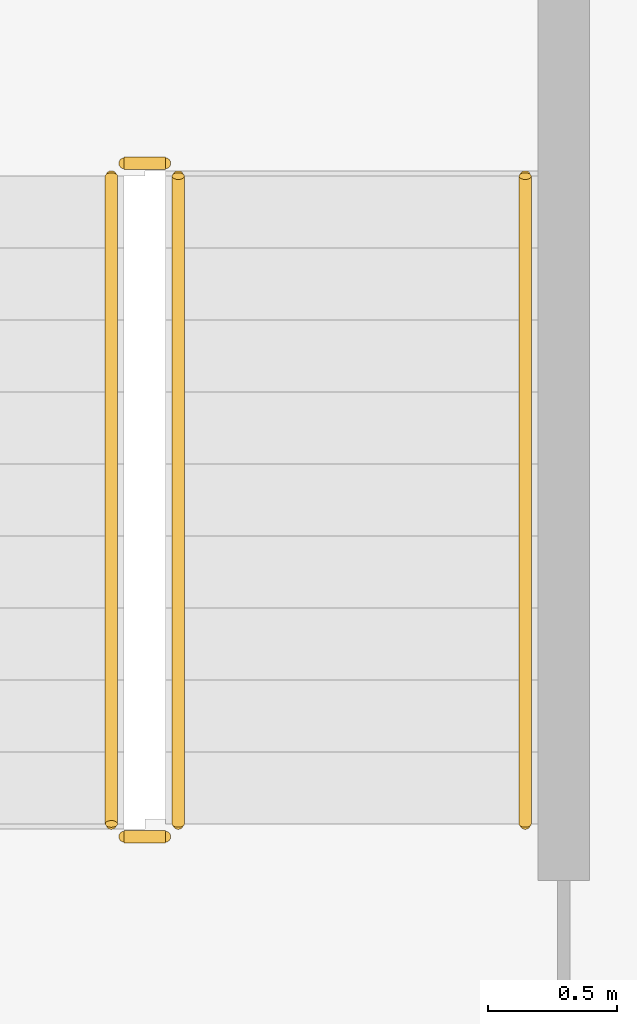
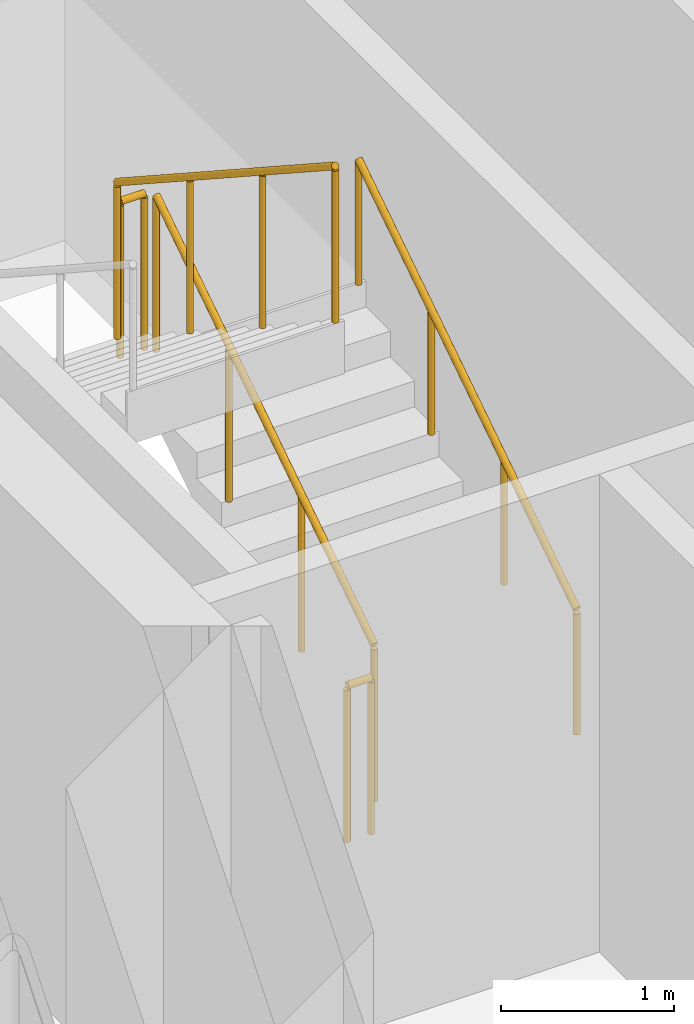
# One storey, part 10 of 12: 5 railings.
"""IFC4 building model written with IfcOpenShell, lengths in metres."""

from ifc_helpers import new_model, si_unit, direction, frame, origin, origin_2d, place, context, subcontext, project, spatial, circle, extrude, material, type_object, element, save


model = new_model("IFC4")

# Units and contexts
model_context = context("Model", 3, precision=1e-05, world=origin(), true_north=direction((0.0, 1.0)))
body_context = subcontext(model_context, "Body", "Model", "MODEL_VIEW")
ifc_project = project(units=[si_unit("LENGTHUNIT", "METRE"), si_unit("AREAUNIT", "SQUARE_METRE"), si_unit("VOLUMEUNIT", "CUBIC_METRE"), si_unit("PLANEANGLEUNIT", "RADIAN"), si_unit("MASSUNIT", "GRAM", prefix="KILO")], contexts=[model_context])

# Site, building, storey
site_placement = place(None, origin())
site = spatial("IfcSite", under=ifc_project, at=site_placement, CompositionType="ELEMENT")
building_placement = place(site_placement, origin())
building = spatial("IfcBuilding", under=site, at=building_placement, Name="Nuvemarco Arch Tower", CompositionType="ELEMENT")
storey_placement = place(building_placement, frame((0.0, 0.0, 49.5)))
storey = spatial("IfcBuildingStorey", under=building, at=storey_placement, Name="L12", CompositionType="ELEMENT", Elevation=49.5)

# Railings
ifc_material_1 = material(Name="Brushed stainless steel handrail", Category="steel")
railing_type_1 = type_object("IfcRailingType", Name="RL-HANDRAIL-900", PredefinedType="HANDRAIL", material=ifc_material_1)
railing_1_placement = place(storey_placement, frame((-13.590087890625, 2.64990234375, 0.1826171875)))
element("IfcRailing", 1, at=railing_1_placement, inside=storey, type_object=railing_type_1, Name="L12 ST-1 stair handrail 1", PredefinedType="HANDRAIL", context=body_context, shape_type="SweptSolid", body=[
    extrude(circle(Radius=0.02392578125, at=origin_2d()), frame((0.0, 0.0, 0.8759765625), z_axis=(0.0, 0.837786554691, 0.545997883492), x_axis=(-1.0, 0.0, 0.0)), (0.0, 0.0, 1.0), 3.008056640625),
    extrude(circle(Radius=0.02099609375, at=origin_2d()), origin(), (0.0, 0.0, 1.0), 0.851806640625),
    extrude(circle(Radius=0.02099609375, at=origin_2d()), frame((0.0, 0.840087890625, 0.54736328125)), (0.0, 0.0, 1.0), 0.851806640625),
    extrude(circle(Radius=0.02099609375, at=origin_2d()), frame((0.0, 1.679931640625, 1.094970703125)), (0.0, 0.0, 1.0), 0.851806640625),
    extrude(circle(Radius=0.02099609375, at=origin_2d()), frame((0.0, 2.52001953125, 1.642333984375)), (0.0, 0.0, 1.0), 0.851806640625),
])
ifc_material_2 = material(Name="Painted balustrade steel S355", Category="steel")
railing_type_2 = type_object("IfcRailingType", Name="RL-STAIR-GUARD", PredefinedType="GUARDRAIL", material=ifc_material_2)
railing_2_placement = place(storey_placement, frame((-14.93994140625, 2.64990234375, 0.1826171875)))
element("IfcRailing", 2, at=railing_2_placement, inside=storey, type_object=railing_type_2, Name="L12 ST-1 stair guard 1", PredefinedType="GUARDRAIL", context=body_context, shape_type="SweptSolid", body=[
    extrude(circle(Radius=0.02392578125, at=origin_2d()), frame((0.0, 0.0, 1.09619140625), z_axis=(0.0, 0.837786554691, 0.545997883492), x_axis=(-1.0, 0.0, 0.0)), (0.0, 0.0, 1.0), 3.008056640625),
    extrude(circle(Radius=0.02099609375, at=origin_2d()), origin(), (0.0, 0.0, 1.0), 1.072021484375),
    extrude(circle(Radius=0.02099609375, at=origin_2d()), frame((0.0, 0.840087890625, 0.54736328125)), (0.0, 0.0, 1.0), 1.072021484375),
    extrude(circle(Radius=0.02099609375, at=origin_2d()), frame((0.0, 1.679931640625, 1.094970703125)), (0.0, 0.0, 1.0), 1.072021484375),
    extrude(circle(Radius=0.02099609375, at=origin_2d()), frame((0.0, 2.52001953125, 1.642333984375)), (0.0, 0.0, 1.0), 1.072021484375),
])
railing_3_placement = place(storey_placement, frame((-14.989990234375, 5.219970703125, 1.824951171875)))
element("IfcRailing", 3, at=railing_3_placement, inside=storey, type_object=railing_type_2, Name="L12 ST-1 stair guard 2", PredefinedType="GUARDRAIL", context=body_context, shape_type="SweptSolid", body=[
    extrude(circle(Radius=0.02392578125, at=origin_2d()), frame((0.0, 0.0, 1.09619140625), z_axis=(-1.0, 0.0, 0.0), x_axis=(0.0, -1.0, 0.0)), (0.0, 0.0, 1.0), 0.159912109375),
    extrude(circle(Radius=0.02099609375, at=origin_2d()), origin(), (0.0, 0.0, 1.0), 1.072021484375),
    extrude(circle(Radius=0.02099609375, at=origin_2d()), frame((-0.159912109375, 0.0, 0.0)), (0.0, 0.0, 1.0), 1.072021484375),
])
railing_4_placement = place(storey_placement, frame((-15.199951171875, 5.169921875, 2.007568359375)))
element("IfcRailing", 4, at=railing_4_placement, inside=storey, type_object=railing_type_2, Name="L12 ST-1 stair guard 3", PredefinedType="GUARDRAIL", context=body_context, shape_type="SweptSolid", body=[
    extrude(circle(Radius=0.02392578125, at=origin_2d()), frame((0.0, 0.0, 1.09619140625), z_axis=(0.0, -0.837786554691, 0.545997883492), x_axis=(1.0, 0.0, 0.0)), (0.0, 0.0, 1.0), 3.008056640625),
    extrude(circle(Radius=0.02099609375, at=origin_2d()), origin(), (0.0, 0.0, 1.0), 1.072021484375),
    extrude(circle(Radius=0.02099609375, at=origin_2d()), frame((0.0, -0.840087890625, 0.54736328125)), (0.0, 0.0, 1.0), 1.072021484375),
    extrude(circle(Radius=0.02099609375, at=origin_2d()), frame((0.0, -1.679931640625, 1.094970703125)), (0.0, 0.0, 1.0), 1.072021484375),
    extrude(circle(Radius=0.02099609375, at=origin_2d()), frame((0.0, -2.52001953125, 1.642333984375)), (0.0, 0.0, 1.0), 1.072021484375),
])
railing_5_placement = place(storey_placement, frame((-14.989990234375, 2.60009765625, 0.0)))
element("IfcRailing", 5, at=railing_5_placement, inside=storey, type_object=railing_type_2, Name="L12 ST-1 stair guard 4", PredefinedType="GUARDRAIL", context=body_context, shape_type="SweptSolid", body=[
    extrude(circle(Radius=0.02392578125, at=origin_2d()), frame((0.0, 0.0, 1.09619140625), z_axis=(-1.0, 0.0, 0.0), x_axis=(0.0, -1.0, 0.0)), (0.0, 0.0, 1.0), 0.159912109375),
    extrude(circle(Radius=0.02099609375, at=origin_2d()), origin(), (0.0, 0.0, 1.0), 1.072021484375),
    extrude(circle(Radius=0.02099609375, at=origin_2d()), frame((-0.159912109375, 0.0, 0.0)), (0.0, 0.0, 1.0), 1.072021484375),
])

save(model, "model.ifc")
